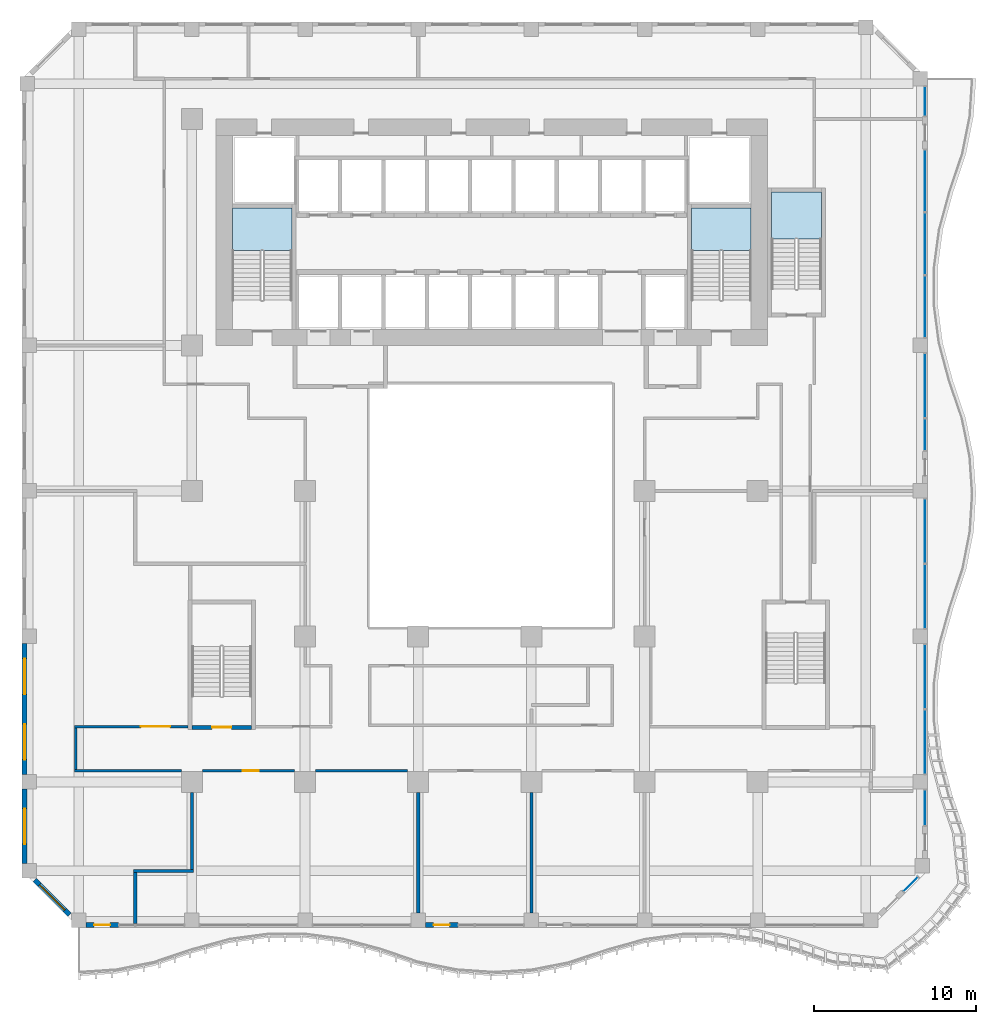
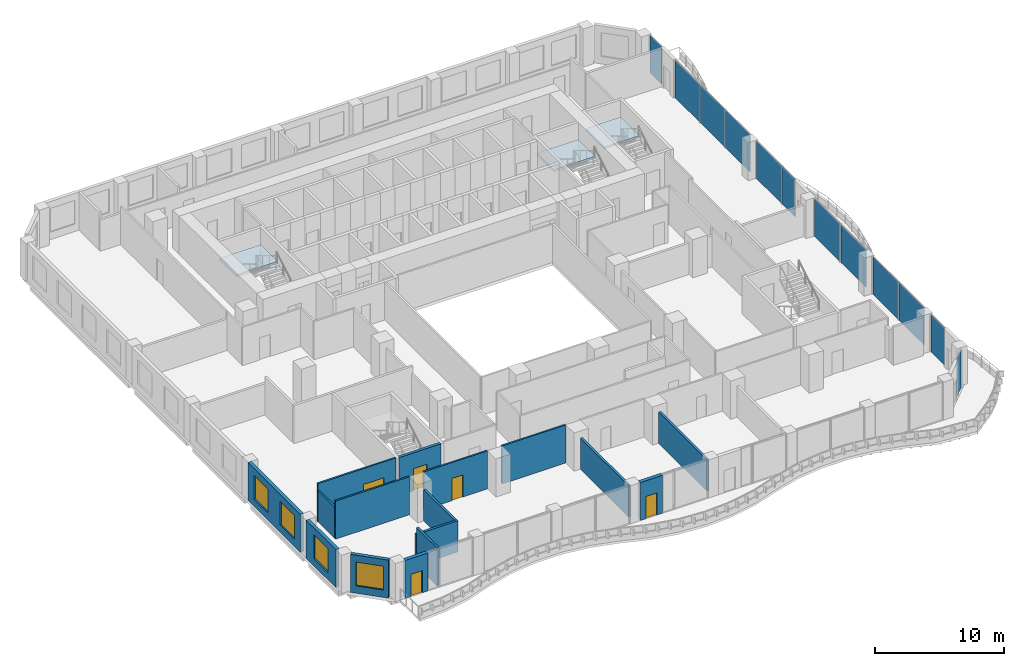
# One storey, part 12 of 23: 16 walls, 12 plates, 5 doors, 4 windows, 3 slabs, 9 openings, 15 elements without a shape of their own.
"""IFC4 building model written with IfcOpenShell, lengths in metres."""

from ifc_helpers import new_model, si_unit, direction, frame, frame_2d, origin, origin_2d, place, context, subcontext, project, spatial, polyline, rectangle, outline, extrude, source, transform, mapped, material, layer, layer_set, type_object, element, fill, aggregate, save


model = new_model("IFC4")

# Units and contexts
model_context = context("Model", 3, precision=1e-05, world=origin(), true_north=direction((0.0, 1.0)))
body_context = subcontext(model_context, "Body", "Model", "MODEL_VIEW")
ifc_project = project(units=[si_unit("LENGTHUNIT", "METRE"), si_unit("AREAUNIT", "SQUARE_METRE"), si_unit("VOLUMEUNIT", "CUBIC_METRE"), si_unit("PLANEANGLEUNIT", "RADIAN"), si_unit("MASSUNIT", "GRAM", prefix="KILO")], contexts=[model_context])

# Site, building, storey
site_placement = place(None, origin())
site = spatial("IfcSite", under=ifc_project, at=site_placement, CompositionType="ELEMENT")
building_placement = place(site_placement, origin())
building = spatial("IfcBuilding", under=site, at=building_placement, Name="Kilnfold Tower and Market Hall", CompositionType="ELEMENT")
storey_placement = place(building_placement, frame((0.0, 0.0, 55.0)))
storey = spatial("IfcBuildingStorey", under=building, at=storey_placement, Name="L12", CompositionType="ELEMENT", Elevation=55.0)

# Curtain wall, plate
ifc_material_1 = material(Name="Aluminium and double glazing", Category="aluminium")
curtain_wall_type = type_object("IfcCurtainWallType", Name="CW OF1 VALLEY GLAZING", PredefinedType="NOTDEFINED", material=ifc_material_1)
curtain_wall_1_placement = place(storey_placement, origin())
curtain_wall_1 = element("IfcCurtainWall", 1, at=curtain_wall_1_placement, inside=storey, type_object=curtain_wall_type, Name="Curtain wall CW1 L12 SE", PredefinedType="NOTDEFINED")
ifc_material_2 = material(Name="Double glazed unit")
ifc_layer_1 = layer(ifc_material_2, 0.031982421875)
ifc_layer_set_1 = layer_set([ifc_layer_1], Name="Double glazed unit")
plate_type = type_object("IfcPlateType", Name="GLAZING PANEL 32", PredefinedType="CURTAIN_PANEL", material=ifc_layer_set_1)
shared_shape_1 = source(origin(), body_context, "Body", "SweptSolid", [
    extrude(rectangle(XDim=1.23876953125, YDim=0.031982421875, at=origin_2d()), origin(), (0.0, 0.0, 1.0), 3.5400390625),
])
plate_1_placement = place(storey_placement, frame((26.963623046875, -25.32421875, 0.0), z_axis=(0.0, 0.0, 1.0), x_axis=(0.707106781187, 0.707106781187, 0.0)))
plate_1 = element("IfcPlate", 2, at=plate_1_placement, type_object=plate_type, Name="CW1 panel 1.1", PredefinedType="CURTAIN_PANEL", context=body_context, shape_type="MappedRepresentation", body=[
    mapped(shared_shape_1, transform((0.0, 0.0, 0.0))),
])
aggregate(curtain_wall_1, [plate_1])

curtain_wall_2_placement = place(storey_placement, origin())
curtain_wall_2 = element("IfcCurtainWall", 3, at=curtain_wall_2_placement, inside=storey, type_object=curtain_wall_type, Name="Curtain wall CW1 L12 E", PredefinedType="NOTDEFINED")
shared_shape_2 = source(origin(), body_context, "Body", "SweptSolid", [
    extrude(rectangle(XDim=2.161865234375, YDim=0.031982421875, at=origin_2d()), origin(), (0.0, 0.0, 1.0), 3.5400390625),
])
plate_2_placement = place(storey_placement, frame((27.85009765625, -20.5908203125, 0.0), z_axis=(0.0, 0.0, 1.0), x_axis=(0.0, 1.0, 0.0)))
plate_2 = element("IfcPlate", 4, at=plate_2_placement, type_object=plate_type, Name="CW1 panel 1.1", PredefinedType="CURTAIN_PANEL", context=body_context, shape_type="MappedRepresentation", body=[
    mapped(shared_shape_2, transform((0.0, 0.0, 0.0))),
])
aggregate(curtain_wall_2, [plate_2])

curtain_wall_3_placement = place(storey_placement, origin())
curtain_wall_3 = element("IfcCurtainWall", 5, at=curtain_wall_3_placement, inside=storey, type_object=curtain_wall_type, Name="Curtain wall CW1 L12 E", PredefinedType="NOTDEFINED")
shared_shape_3 = source(origin(), body_context, "Body", "SweptSolid", [
    extrude(rectangle(XDim=3.929931640625, YDim=0.031982421875, at=origin_2d()), origin(), (0.0, 0.0, 1.0), 3.5400390625),
])
plate_3_placement = place(storey_placement, frame((27.85009765625, -16.52490234375, 0.0), z_axis=(0.0, 0.0, 1.0), x_axis=(0.0, 1.0, 0.0)))
plate_3 = element("IfcPlate", 6, at=plate_3_placement, type_object=plate_type, Name="CW1 panel 1.1", PredefinedType="CURTAIN_PANEL", context=body_context, shape_type="MappedRepresentation", body=[
    mapped(shared_shape_3, transform((0.0, 0.0, 0.0))),
])
aggregate(curtain_wall_3, [plate_3])

curtain_wall_4_placement = place(storey_placement, origin())
curtain_wall_4 = element("IfcCurtainWall", 7, at=curtain_wall_4_placement, inside=storey, type_object=curtain_wall_type, Name="Curtain wall CW1 L12 E", PredefinedType="NOTDEFINED")
plate_4_placement = place(storey_placement, frame((27.85009765625, -12.47509765625, 0.0), z_axis=(0.0, 0.0, 1.0), x_axis=(0.0, 1.0, 0.0)))
plate_4 = element("IfcPlate", 8, at=plate_4_placement, type_object=plate_type, Name="CW1 panel 1.1", PredefinedType="CURTAIN_PANEL", context=body_context, shape_type="MappedRepresentation", body=[
    mapped(shared_shape_3, transform((0.0, 0.0, 0.0))),
])
aggregate(curtain_wall_4, [plate_4])

curtain_wall_5_placement = place(storey_placement, origin())
curtain_wall_5 = element("IfcCurtainWall", 9, at=curtain_wall_5_placement, inside=storey, type_object=curtain_wall_type, Name="Curtain wall CW1 L12 E", PredefinedType="NOTDEFINED")
plate_5_placement = place(storey_placement, frame((27.85009765625, -7.52490234375, 0.0), z_axis=(0.0, 0.0, 1.0), x_axis=(0.0, 1.0, 0.0)))
plate_5 = element("IfcPlate", 10, at=plate_5_placement, type_object=plate_type, Name="CW1 panel 1.1", PredefinedType="CURTAIN_PANEL", context=body_context, shape_type="MappedRepresentation", body=[
    mapped(shared_shape_3, transform((0.0, 0.0, 0.0))),
])
aggregate(curtain_wall_5, [plate_5])

curtain_wall_6_placement = place(storey_placement, origin())
curtain_wall_6 = element("IfcCurtainWall", 11, at=curtain_wall_6_placement, inside=storey, type_object=curtain_wall_type, Name="Curtain wall CW1 L12 E", PredefinedType="NOTDEFINED")
plate_6_placement = place(storey_placement, frame((27.85009765625, -3.47509765625, 0.0), z_axis=(0.0, 0.0, 1.0), x_axis=(0.0, 1.0, 0.0)))
plate_6 = element("IfcPlate", 12, at=plate_6_placement, type_object=plate_type, Name="CW1 panel 1.1", PredefinedType="CURTAIN_PANEL", context=body_context, shape_type="MappedRepresentation", body=[
    mapped(shared_shape_3, transform((0.0, 0.0, 0.0))),
])
aggregate(curtain_wall_6, [plate_6])

curtain_wall_7_placement = place(storey_placement, origin())
curtain_wall_7 = element("IfcCurtainWall", 13, at=curtain_wall_7_placement, inside=storey, type_object=curtain_wall_type, Name="Curtain wall CW1 L12 E", PredefinedType="NOTDEFINED")
plate_7_placement = place(storey_placement, frame((27.85009765625, 5.52490234375, 0.0), z_axis=(0.0, 0.0, 1.0), x_axis=(0.0, 1.0, 0.0)))
plate_7 = element("IfcPlate", 14, at=plate_7_placement, type_object=plate_type, Name="CW1 panel 1.1", PredefinedType="CURTAIN_PANEL", context=body_context, shape_type="MappedRepresentation", body=[
    mapped(shared_shape_3, transform((0.0, 0.0, 0.0))),
])
aggregate(curtain_wall_7, [plate_7])

curtain_wall_8_placement = place(storey_placement, origin())
curtain_wall_8 = element("IfcCurtainWall", 15, at=curtain_wall_8_placement, inside=storey, type_object=curtain_wall_type, Name="Curtain wall CW1 L12 E", PredefinedType="NOTDEFINED")
shared_shape_4 = source(origin(), body_context, "Body", "SweptSolid", [
    extrude(rectangle(XDim=1.929931640625, YDim=0.031982421875, at=origin_2d()), origin(), (0.0, 0.0, 1.0), 3.5400390625),
])
plate_8_placement = place(storey_placement, frame((27.85009765625, 2.47509765625, 0.0), z_axis=(0.0, 0.0, 1.0), x_axis=(0.0, 1.0, 0.0)))
plate_8 = element("IfcPlate", 16, at=plate_8_placement, type_object=plate_type, Name="CW1 panel 1.1", PredefinedType="CURTAIN_PANEL", context=body_context, shape_type="MappedRepresentation", body=[
    mapped(shared_shape_4, transform((0.0, 0.0, 0.0))),
])
aggregate(curtain_wall_8, [plate_8])

curtain_wall_9_placement = place(storey_placement, origin())
curtain_wall_9 = element("IfcCurtainWall", 17, at=curtain_wall_9_placement, inside=storey, type_object=curtain_wall_type, Name="Curtain wall CW1 L12 E", PredefinedType="NOTDEFINED")
shared_shape_5 = source(origin(), body_context, "Body", "SweptSolid", [
    extrude(rectangle(XDim=3.780029296875, YDim=0.031982421875, at=origin_2d()), origin(), (0.0, 0.0, 1.0), 3.5400390625),
])
plate_9_placement = place(storey_placement, frame((27.85009765625, 10.39990234375, 0.0), z_axis=(0.0, 0.0, 1.0), x_axis=(0.0, 1.0, 0.0)))
plate_9 = element("IfcPlate", 18, at=plate_9_placement, type_object=plate_type, Name="CW1 panel 1.1", PredefinedType="CURTAIN_PANEL", context=body_context, shape_type="MappedRepresentation", body=[
    mapped(shared_shape_5, transform((0.0, 0.0, 0.0))),
])
aggregate(curtain_wall_9, [plate_9])

curtain_wall_10_placement = place(storey_placement, origin())
curtain_wall_10 = element("IfcCurtainWall", 19, at=curtain_wall_10_placement, inside=storey, type_object=curtain_wall_type, Name="Curtain wall CW1 L12 E", PredefinedType="NOTDEFINED")
plate_10_placement = place(storey_placement, frame((27.85009765625, 14.300048828125, 0.0), z_axis=(0.0, 0.0, 1.0), x_axis=(0.0, 1.0, 0.0)))
plate_10 = element("IfcPlate", 20, at=plate_10_placement, type_object=plate_type, Name="CW1 panel 1.1", PredefinedType="CURTAIN_PANEL", context=body_context, shape_type="MappedRepresentation", body=[
    mapped(shared_shape_5, transform((0.0, 0.0, 0.0))),
])
aggregate(curtain_wall_10, [plate_10])

curtain_wall_11_placement = place(storey_placement, origin())
curtain_wall_11 = element("IfcCurtainWall", 21, at=curtain_wall_11_placement, inside=storey, type_object=curtain_wall_type, Name="Curtain wall CW1 L12 E", PredefinedType="NOTDEFINED")
plate_11_placement = place(storey_placement, frame((27.85009765625, 18.199951171875, 0.0), z_axis=(0.0, 0.0, 1.0), x_axis=(0.0, 1.0, 0.0)))
plate_11 = element("IfcPlate", 22, at=plate_11_placement, type_object=plate_type, Name="CW1 panel 1.1", PredefinedType="CURTAIN_PANEL", context=body_context, shape_type="MappedRepresentation", body=[
    mapped(shared_shape_5, transform((0.0, 0.0, 0.0))),
])
aggregate(curtain_wall_11, [plate_11])

curtain_wall_12_placement = place(storey_placement, origin())
curtain_wall_12 = element("IfcCurtainWall", 23, at=curtain_wall_12_placement, inside=storey, type_object=curtain_wall_type, Name="Curtain wall CW1 L12 E", PredefinedType="NOTDEFINED")
shared_shape_6 = source(origin(), body_context, "Body", "SweptSolid", [
    extrude(rectangle(XDim=1.780029296875, YDim=0.031982421875, at=origin_2d()), origin(), (0.0, 0.0, 1.0), 3.5400390625),
])
plate_12_placement = place(storey_placement, frame((27.85009765625, 23.10009765625, 0.0), z_axis=(0.0, 0.0, 1.0), x_axis=(0.0, 1.0, 0.0)))
plate_12 = element("IfcPlate", 24, at=plate_12_placement, type_object=plate_type, Name="CW1 panel 1.1", PredefinedType="CURTAIN_PANEL", context=body_context, shape_type="MappedRepresentation", body=[
    mapped(shared_shape_6, transform((0.0, 0.0, 0.0))),
])
aggregate(curtain_wall_12, [plate_12])

# Stair, slab
ifc_material_3 = material(Name="Concrete C40/50", Category="concrete")
stair_type_1 = type_object("IfcStairType", Name="CORE STAIR 1800", PredefinedType="HALF_TURN_STAIR", material=ifc_material_3)
stair_1_placement = place(storey_placement, origin())
stair_1 = element("IfcStair", 25, at=stair_1_placement, inside=storey, type_object=stair_type_1, Name="L12 ST1", PredefinedType="HALF_TURN_STAIR")
ifc_material_4 = material(Name="Concrete C40/50", Category="concrete")
ifc_layer_2 = layer(ifc_material_4, 0.199951171875)
ifc_layer_set_2 = layer_set([ifc_layer_2], Name="Concrete C40/50")
slab_type = type_object("IfcSlabType", Name="CORE STAIR LANDING 200", PredefinedType="LANDING", material=ifc_layer_set_2)
shared_shape_7 = source(origin(), body_context, "Body", "SweptSolid", [
    extrude(outline(polyline([(-11.300048828125, 13.8798828125), (-11.300048828125, 16.5), (-15.0, 16.5), (-15.0, 13.8798828125), (-11.300048828125, 13.8798828125)])), origin(), (0.0, 0.0, 1.0), 0.199951171875),
])
slab_1_placement = place(storey_placement, frame((0.0, 0.0, 1.800048828125)))
slab_1 = element("IfcSlab", 26, at=slab_1_placement, type_object=slab_type, Name="ST1 landing 1", PredefinedType="LANDING", context=body_context, shape_type="MappedRepresentation", body=[
    mapped(shared_shape_7, transform((0.0, 0.0, 0.0))),
])
aggregate(stair_1, [slab_1])

stair_2_placement = place(storey_placement, origin())
stair_2 = element("IfcStair", 27, at=stair_2_placement, inside=storey, type_object=stair_type_1, Name="L12 ST2", PredefinedType="HALF_TURN_STAIR")
shared_shape_8 = source(origin(), body_context, "Body", "SweptSolid", [
    extrude(outline(polyline([(17.10009765625, 13.8798828125), (17.10009765625, 16.5), (13.39990234375, 16.5), (13.39990234375, 13.8798828125), (17.10009765625, 13.8798828125)])), origin(), (0.0, 0.0, 1.0), 0.199951171875),
])
slab_2_placement = place(storey_placement, frame((0.0, 0.0, 1.800048828125)))
slab_2 = element("IfcSlab", 28, at=slab_2_placement, type_object=slab_type, Name="ST2 landing 1", PredefinedType="LANDING", context=body_context, shape_type="MappedRepresentation", body=[
    mapped(shared_shape_8, transform((0.0, 0.0, 0.0))),
])
aggregate(stair_2, [slab_2])

ifc_material_5 = material(Name="Concrete C40/50", Category="concrete")
stair_type_2 = type_object("IfcStairType", Name="CORE STAIR 1500", PredefinedType="HALF_TURN_STAIR", material=ifc_material_5)
stair_3_placement = place(storey_placement, origin())
stair_3 = element("IfcStair", 29, at=stair_3_placement, inside=storey, type_object=stair_type_2, Name="L12 ST5", PredefinedType="HALF_TURN_STAIR")
shared_shape_9 = source(origin(), body_context, "Body", "SweptSolid", [
    extrude(outline(polyline([(21.449951171875, 14.580078125), (21.449951171875, 17.5), (18.35009765625, 17.5), (18.35009765625, 14.580078125), (21.449951171875, 14.580078125)])), origin(), (0.0, 0.0, 1.0), 0.199951171875),
])
slab_3_placement = place(storey_placement, frame((0.0, 0.0, 1.800048828125)))
slab_3 = element("IfcSlab", 30, at=slab_3_placement, type_object=slab_type, Name="ST5 landing 1", PredefinedType="LANDING", context=body_context, shape_type="MappedRepresentation", body=[
    mapped(shared_shape_9, transform((0.0, 0.0, 0.0))),
])
aggregate(stair_3, [slab_3])

# Walls
ifc_material_6 = material(Name="Gypsum board on steel studs", Category="steel")
ifc_layer_3 = layer(ifc_material_6, 0.14990234375)
ifc_layer_set_3 = layer_set([ifc_layer_3], Name="Gypsum board on steel studs")
wall_type_1 = type_object("IfcWallType", Name="WALL CORRIDOR 150", PredefinedType="PARTITIONING", material=ifc_layer_set_3)
wall_1_placement = place(storey_placement, frame((-24.757080078125, -18.300048828125, 0.0), z_axis=(0.0, 0.0, 1.0), x_axis=(1.0, 0.0, 0.0)))
element("IfcWall", 31, at=wall_1_placement, inside=storey, type_object=wall_type_1, Name="Partition LY10.7", PredefinedType="PARTITIONING", context=body_context, shape_type="SweptSolid", body=[
    extrude(rectangle(XDim=6.607177734375, YDim=0.14990234375, at=frame_2d((3.3037109375, 0.0))), origin(), (0.0, 0.0, 1.0), 3.60009765625),
])
wall_2_placement = place(storey_placement, frame((-24.681884765625, -15.64990234375, 0.0), z_axis=(0.0, 0.0, 1.0), x_axis=(0.0, -1.0, 0.0)))
element("IfcWall", 32, at=wall_2_placement, inside=storey, type_object=wall_type_1, Name="Partition LY10.8", PredefinedType="PARTITIONING", context=body_context, shape_type="SweptSolid", body=[
    extrude(rectangle(XDim=2.5751953125, YDim=0.14990234375, at=frame_2d((1.28759765625, 0.0))), origin(), (0.0, 0.0, 1.0), 2.949951171875),
])

# Wall, opening, door
wall_3_placement = place(storey_placement, frame((-24.757080078125, -15.574951171875, 0.0), z_axis=(0.0, 0.0, 1.0), x_axis=(1.0, 0.0, 0.0)))
wall_3 = element("IfcWall", 33, at=wall_3_placement, inside=storey, type_object=wall_type_1, Name="Partition LY10.9", PredefinedType="PARTITIONING", context=body_context, shape_type="SweptSolid", body=[
    extrude(rectangle(XDim=7.007080078125, YDim=0.14990234375, at=frame_2d((3.50341796875, 0.0))), origin(), (0.0, 0.0, 1.0), 3.60009765625),
])
opening_1_placement = place(wall_3_placement, frame((4.10595703125, 0.0, 0.0)))
opening_1 = element("IfcOpeningElement", 34, at=opening_1_placement, cuts=wall_3, Name="Opening D5", PredefinedType="OPENING", context=body_context, shape_type="SweptSolid", body=[
    extrude(rectangle(XDim=1.800048828125, YDim=2.10009765625, at=frame_2d((0.89990234375, 1.050048828125))), frame((0.0, 0.0849609375, 0.0), z_axis=(0.0, -1.0, 0.0), x_axis=(1.0, 0.0, 0.0)), (0.0, 0.0, 1.0), 0.169921875),
])
ifc_material_7 = material(Name="Timber veneer door leaf in steel frame", Category="steel")
door_type_1 = type_object("IfcDoorType", Name="DOOR DOUBLE 1800 X2100", OperationType="NOTDEFINED", PredefinedType="DOOR", material=ifc_material_7)
door_1_placement = place(opening_1_placement, origin())
door_1 = element("IfcDoor", 35, at=door_1_placement, inside=storey, type_object=door_type_1, Name="Door D5", OperationType="DOUBLE_DOOR_SINGLE_SWING", OverallHeight=2.10009765625, OverallWidth=1.800048828125, PredefinedType="DOOR", context=body_context, shape_type="SweptSolid", body=[
    extrude(rectangle(XDim=1.800048828125, YDim=2.10009765625, at=frame_2d((0.89990234375, 1.050048828125))), frame((0.0, 0.02490234375, 0.0), z_axis=(0.0, -1.0, 0.0), x_axis=(1.0, 0.0, 0.0)), (0.0, 0.0, 1.0), 0.050048828125),
])
fill(opening_1, door_1)

wall_4_placement = place(storey_placement, frame((-16.85009765625, -18.300048828125, 0.0), z_axis=(0.0, 0.0, 1.0), x_axis=(1.0, 0.0, 0.0)))
wall_4 = element("IfcWall", 36, at=wall_4_placement, inside=storey, type_object=wall_type_1, Name="Partition LY10.15", PredefinedType="PARTITIONING", context=body_context, shape_type="SweptSolid", body=[
    extrude(rectangle(XDim=5.7001953125, YDim=0.14990234375, at=frame_2d((2.85009765625, 0.0))), origin(), (0.0, 0.0, 1.0), 3.60009765625),
])
opening_2_placement = place(wall_4_placement, frame((2.5, 0.0, 0.0)))
opening_2 = element("IfcOpeningElement", 37, at=opening_2_placement, cuts=wall_4, Name="Opening D1", PredefinedType="OPENING", context=body_context, shape_type="SweptSolid", body=[
    extrude(rectangle(XDim=1.0, YDim=2.10009765625, at=frame_2d((0.5, 1.050048828125))), frame((0.0, 0.0849609375, 0.0), z_axis=(0.0, -1.0, 0.0), x_axis=(1.0, 0.0, 0.0)), (0.0, 0.0, 1.0), 0.169921875),
])
ifc_material_8 = material(Name="Timber veneer door leaf in steel frame", Category="steel")
door_type_2 = type_object("IfcDoorType", Name="DOOR ENTRY 1000 X2100", OperationType="NOTDEFINED", PredefinedType="DOOR", material=ifc_material_8)
door_2_placement = place(opening_2_placement, origin())
door_2 = element("IfcDoor", 38, at=door_2_placement, inside=storey, type_object=door_type_2, Name="Door D1", OperationType="SINGLE_SWING_RIGHT", OverallHeight=2.10009765625, OverallWidth=1.0, PredefinedType="DOOR", context=body_context, shape_type="SweptSolid", body=[
    extrude(rectangle(XDim=1.0, YDim=2.10009765625, at=frame_2d((0.5, 1.050048828125))), frame((0.0, 0.02490234375, 0.0), z_axis=(0.0, -1.0, 0.0), x_axis=(1.0, 0.0, 0.0)), (0.0, 0.0, 1.0), 0.050048828125),
])
fill(opening_2, door_2)

# Walls
wall_5_placement = place(storey_placement, frame((-9.85009765625, -18.300048828125, 0.0), z_axis=(0.0, 0.0, 1.0), x_axis=(1.0, 0.0, 0.0)))
element("IfcWall", 39, at=wall_5_placement, inside=storey, type_object=wall_type_1, Name="Partition LY10.16", PredefinedType="PARTITIONING", context=body_context, shape_type="SweptSolid", body=[
    extrude(rectangle(XDim=5.7001953125, YDim=0.14990234375, at=frame_2d((2.85009765625, 0.0))), origin(), (0.0, 0.0, 1.0), 3.60009765625),
])
ifc_material_9 = material(Name="Gypsum board on steel studs", Category="steel")
ifc_layer_4 = layer(ifc_material_9, 0.199951171875)
ifc_layer_set_4 = layer_set([ifc_layer_4], Name="Gypsum board on steel studs")
wall_type_2 = type_object("IfcWallType", Name="WALL PARTY 200", PredefinedType="PARTITIONING", material=ifc_layer_set_4)
wall_6_placement = place(storey_placement, frame((-17.5, -24.39990234375, 0.0), z_axis=(0.0, 0.0, 1.0), x_axis=(0.0, 1.0, 0.0)))
element("IfcWall", 40, at=wall_6_placement, inside=storey, type_object=wall_type_2, Name="Partition LY10.47", PredefinedType="PARTITIONING", context=body_context, shape_type="SweptSolid", body=[
    extrude(rectangle(XDim=4.75, YDim=0.199951171875, at=frame_2d((2.375, 0.0))), origin(), (0.0, 0.0, 1.0), 2.949951171875),
])
wall_7_placement = place(storey_placement, frame((-21.10009765625, -24.5, 0.0), z_axis=(0.0, 0.0, 1.0), x_axis=(1.0, 0.0, 0.0)))
element("IfcWall", 41, at=wall_7_placement, inside=storey, type_object=wall_type_2, Name="Partition LY10.48", PredefinedType="PARTITIONING", context=body_context, shape_type="SweptSolid", body=[
    extrude(rectangle(XDim=3.7001953125, YDim=0.199951171875, at=frame_2d((1.85009765625, 0.0))), origin(), (0.0, 0.0, 1.0), 2.949951171875),
])
wall_8_placement = place(storey_placement, frame((-21.0, -27.75, 0.0), z_axis=(0.0, 0.0, 1.0), x_axis=(0.0, 1.0, 0.0)))
element("IfcWall", 42, at=wall_8_placement, inside=storey, type_object=wall_type_2, Name="Partition LY10.49", PredefinedType="PARTITIONING", context=body_context, shape_type="SweptSolid", body=[
    extrude(rectangle(XDim=3.14990234375, YDim=0.199951171875, at=frame_2d((1.574951171875, 0.0))), origin(), (0.0, 0.0, 1.0), 3.60009765625),
])
for number, where, z_axis, x_axis, name in (
    (43, (-3.5, -27.10009765625, 0.0), (0.0, 0.0, 1.0), (0.0, 1.0, 0.0), "Partition LY10.50"),
    (44, (3.5, -27.10009765625, 0.0), (0.0, 0.0, 1.0), (0.0, 1.0, 0.0), "Partition LY10.54"),
):
    element("IfcWall", number, at=place(storey_placement, frame(where, z_axis=z_axis, x_axis=x_axis)), inside=storey, type_object=wall_type_2, Name=name, PredefinedType="PARTITIONING", context=body_context, shape_type="SweptSolid", body=[
        extrude(rectangle(XDim=7.4501953125, YDim=0.199951171875, at=frame_2d((3.72509765625, 0.0))), origin(), (0.0, 0.0, 1.0), 2.949951171875),
    ])

# Wall, opening, door
ifc_material_10 = material(Name="Concrete C80", Category="concrete")
ifc_layer_5 = layer(ifc_material_10, 0.25)
ifc_layer_set_5 = layer_set([ifc_layer_5], Name="Concrete C80")
wall_type_3 = type_object("IfcWallType", Name="CORE WALL 250 C80", PredefinedType="SHEAR", material=ifc_layer_set_5)
shared_shape_10 = source(origin(), body_context, "Body", "SweptSolid", [
    extrude(rectangle(XDim=3.699951171875, YDim=0.25, at=frame_2d((1.85009765625, 0.0))), origin(), (0.0, 0.0, 1.0), 3.60009765625),
])
wall_9_placement = place(storey_placement, frame((-17.5, -15.625, 0.0), z_axis=(0.0, 0.0, 1.0), x_axis=(1.0, 0.0, 0.0)))
wall_9 = element("IfcWall", 45, at=wall_9_placement, inside=storey, type_object=wall_type_3, Name="Stair enclosure ST3", PredefinedType="SHEAR", context=body_context, shape_type="MappedRepresentation", body=[
    mapped(shared_shape_10, transform((0.0, 0.0, 0.0))),
])
opening_3_placement = place(wall_9_placement, frame((1.25, 0.0, 0.0)))
opening_3 = element("IfcOpeningElement", 46, at=opening_3_placement, cuts=wall_9, Name="Opening SD1", PredefinedType="OPENING", context=body_context, shape_type="SweptSolid", body=[
    extrude(rectangle(XDim=1.199951171875, YDim=2.10009765625, at=frame_2d((0.60009765625, 1.050048828125))), frame((0.0, 0.135009765625, 0.0), z_axis=(0.0, -1.0, 0.0), x_axis=(1.0, 0.0, 0.0)), (0.0, 0.0, 1.0), 0.27001953125),
])
ifc_material_11 = material(Name="Steel door set with fire-resisting leaf", Category="steel")
door_type_3 = type_object("IfcDoorType", Name="STAIR FLOOR DOOR 1200X2100", OperationType="NOTDEFINED", PredefinedType="DOOR", material=ifc_material_11)
door_3_placement = place(opening_3_placement, origin())
door_3 = element("IfcDoor", 47, at=door_3_placement, inside=storey, type_object=door_type_3, Name="Exit stair ST3 door", OperationType="DOUBLE_DOOR_SINGLE_SWING", OverallHeight=2.10009765625, OverallWidth=1.199951171875, PredefinedType="DOOR", context=body_context, shape_type="SweptSolid", body=[
    extrude(rectangle(XDim=1.199951171875, YDim=2.10009765625, at=frame_2d((0.60009765625, 1.050048828125))), frame((0.0, 0.02490234375, 0.0), z_axis=(0.0, -1.0, 0.0), x_axis=(1.0, 0.0, 0.0)), (0.0, 0.0, 1.0), 0.050048828125),
])
fill(opening_3, door_3)

ifc_material_12 = material(Name="Precast concrete C50/60", Category="concrete")
ifc_layer_6 = layer(ifc_material_12, 0.300048828125)
ifc_layer_set_6 = layer_set([ifc_layer_6], Name="Precast concrete C50/60")
wall_type_4 = type_object("IfcWallType", Name="PRECAST WALL 300", PredefinedType="SOLIDWALL", material=ifc_layer_set_6)
shared_shape_11 = source(origin(), body_context, "Body", "SweptSolid", [
    extrude(rectangle(XDim=2.0, YDim=0.300048828125, at=frame_2d((1.0, 0.0))), origin(), (0.0, 0.0, 1.0), 3.60009765625),
])
wall_10_placement = place(storey_placement, frame((-24.050048828125, -27.85009765625, 0.0), z_axis=(0.0, 0.0, 1.0), x_axis=(1.0, 0.0, 0.0)))
wall_10 = element("IfcWall", 48, at=wall_10_placement, inside=storey, type_object=wall_type_4, Name="External wall L12 S", PredefinedType="SOLIDWALL", context=body_context, shape_type="MappedRepresentation", body=[
    mapped(shared_shape_11, transform((0.0, 0.0, 0.0))),
])
opening_4_placement = place(wall_10_placement, frame((0.5, 0.0, 0.0)))
opening_4 = element("IfcOpeningElement", 49, at=opening_4_placement, cuts=wall_10, Name="Opening BD1", PredefinedType="OPENING", context=body_context, shape_type="SweptSolid", body=[
    extrude(rectangle(XDim=1.0, YDim=2.10009765625, at=frame_2d((0.5, 1.050048828125))), frame((0.0, 0.16015625, 0.0), z_axis=(0.0, -1.0, 0.0), x_axis=(1.0, 0.0, 0.0)), (0.0, 0.0, 1.0), 0.320068359375),
])
ifc_material_13 = material(Name="Aluminium frame and double glazing", Category="aluminium")
door_type_4 = type_object("IfcDoorType", Name="BALCONY DOOR 1000X2100", OperationType="NOTDEFINED", PredefinedType="DOOR", material=ifc_material_13)
door_4_placement = place(opening_4_placement, origin())
door_4 = element("IfcDoor", 50, at=door_4_placement, inside=storey, type_object=door_type_4, Name="Balcony door BD1 L12 S-1", OperationType="SINGLE_SWING_LEFT", OverallHeight=2.10009765625, OverallWidth=1.0, PredefinedType="DOOR", context=body_context, shape_type="SweptSolid", body=[
    extrude(rectangle(XDim=1.0, YDim=2.10009765625, at=frame_2d((0.5, 1.050048828125))), frame((0.0, 0.02490234375, 0.0), z_axis=(0.0, -1.0, 0.0), x_axis=(1.0, 0.0, 0.0)), (0.0, 0.0, 1.0), 0.050048828125),
])
fill(opening_4, door_4)

wall_11_placement = place(storey_placement, frame((-3.050048828125, -27.85009765625, 0.0), z_axis=(0.0, 0.0, 1.0), x_axis=(1.0, 0.0, 0.0)))
wall_11 = element("IfcWall", 51, at=wall_11_placement, inside=storey, type_object=wall_type_4, Name="External wall L12 S", PredefinedType="SOLIDWALL", context=body_context, shape_type="MappedRepresentation", body=[
    mapped(shared_shape_11, transform((0.0, 0.0, 0.0))),
])
opening_5_placement = place(wall_11_placement, frame((0.5, 0.0, 0.0)))
opening_5 = element("IfcOpeningElement", 52, at=opening_5_placement, cuts=wall_11, Name="Opening BD1", PredefinedType="OPENING", context=body_context, shape_type="SweptSolid", body=[
    extrude(rectangle(XDim=1.0, YDim=2.10009765625, at=frame_2d((0.5, 1.050048828125))), frame((0.0, 0.16015625, 0.0), z_axis=(0.0, -1.0, 0.0), x_axis=(1.0, 0.0, 0.0)), (0.0, 0.0, 1.0), 0.320068359375),
])
door_5_placement = place(opening_5_placement, origin())
door_5 = element("IfcDoor", 53, at=door_5_placement, inside=storey, type_object=door_type_4, Name="Balcony door BD1 L12 S-1", OperationType="SINGLE_SWING_LEFT", OverallHeight=2.10009765625, OverallWidth=1.0, PredefinedType="DOOR", context=body_context, shape_type="SweptSolid", body=[
    extrude(rectangle(XDim=1.0, YDim=2.10009765625, at=frame_2d((0.5, 1.050048828125))), frame((0.0, 0.02490234375, 0.0), z_axis=(0.0, -1.0, 0.0), x_axis=(1.0, 0.0, 0.0)), (0.0, 0.0, 1.0), 0.050048828125),
])
fill(opening_5, door_5)

# Wall, openings, windows
shared_shape_12 = source(origin(), body_context, "Body", "SweptSolid", [
    extrude(rectangle(XDim=8.10009765625, YDim=0.300048828125, at=frame_2d((4.050048828125, 0.0))), origin(), (0.0, 0.0, 1.0), 3.60009765625),
])
wall_12_placement = place(storey_placement, frame((-27.85009765625, -10.449951171875, 0.0), z_axis=(0.0, 0.0, 1.0), x_axis=(0.0, -1.0, 0.0)))
wall_12 = element("IfcWall", 54, at=wall_12_placement, inside=storey, type_object=wall_type_4, Name="External wall L12 W", PredefinedType="SOLIDWALL", context=body_context, shape_type="MappedRepresentation", body=[
    mapped(shared_shape_12, transform((0.0, 0.0, 0.0))),
])
opening_6_placement = place(wall_12_placement, frame((0.925048828125, 0.0, 0.699951171875)))
opening_6 = element("IfcOpeningElement", 55, at=opening_6_placement, cuts=wall_12, Name="Opening W1", PredefinedType="OPENING", context=body_context, shape_type="SweptSolid", body=[
    extrude(rectangle(XDim=2.199951171875, YDim=2.25, at=frame_2d((1.10009765625, 1.125))), frame((0.0, 0.16015625, 0.0), z_axis=(0.0, -1.0, 0.0), x_axis=(1.0, 0.0, 0.0)), (0.0, 0.0, 1.0), 0.320068359375),
])
opening_7_placement = place(wall_12_placement, frame((4.97509765625, 0.0, 0.699951171875)))
opening_7 = element("IfcOpeningElement", 56, at=opening_7_placement, cuts=wall_12, Name="Opening W1", PredefinedType="OPENING", context=body_context, shape_type="SweptSolid", body=[
    extrude(rectangle(XDim=2.199951171875, YDim=2.25, at=frame_2d((1.10009765625, 1.125))), frame((0.0, 0.16015625, 0.0), z_axis=(0.0, -1.0, 0.0), x_axis=(1.0, 0.0, 0.0)), (0.0, 0.0, 1.0), 0.320068359375),
])
ifc_material_14 = material(Name="Aluminium frame and double glazing", Category="aluminium")
window_type = type_object("IfcWindowType", Name="WINDOW W1 2200X2250", PartitioningType="SINGLE_PANEL", PredefinedType="WINDOW", material=ifc_material_14)
window_1_placement = place(opening_6_placement, origin())
window_1 = element("IfcWindow", 57, at=window_1_placement, inside=storey, type_object=window_type, Name="Window W1 L12 W-1", OverallHeight=2.25, OverallWidth=2.199951171875, PartitioningType="SINGLE_PANEL", PredefinedType="WINDOW", context=body_context, shape_type="SweptSolid", body=[
    extrude(rectangle(XDim=2.199951171875, YDim=2.25, at=frame_2d((1.10009765625, 1.125))), frame((0.0, 0.030029296875, 0.0), z_axis=(0.0, -1.0, 0.0), x_axis=(1.0, 0.0, 0.0)), (0.0, 0.0, 1.0), 0.06005859375),
])
fill(opening_6, window_1)
window_2_placement = place(opening_7_placement, origin())
window_2 = element("IfcWindow", 58, at=window_2_placement, inside=storey, type_object=window_type, Name="Window W1 L12 W-2", OverallHeight=2.25, OverallWidth=2.199951171875, PartitioningType="SINGLE_PANEL", PredefinedType="WINDOW", context=body_context, shape_type="SweptSolid", body=[
    extrude(rectangle(XDim=2.199951171875, YDim=2.25, at=frame_2d((1.10009765625, 1.125))), frame((0.0, 0.030029296875, 0.0), z_axis=(0.0, -1.0, 0.0), x_axis=(1.0, 0.0, 0.0)), (0.0, 0.0, 1.0), 0.06005859375),
])
fill(opening_7, window_2)

# Wall, opening, window
shared_shape_13 = source(origin(), body_context, "Body", "SweptSolid", [
    extrude(rectangle(XDim=4.60009765625, YDim=0.300048828125, at=frame_2d((2.300048828125, 0.0))), origin(), (0.0, 0.0, 1.0), 3.60009765625),
])
wall_13_placement = place(storey_placement, frame((-27.85009765625, -19.449951171875, 0.0), z_axis=(0.0, 0.0, 1.0), x_axis=(0.0, -1.0, 0.0)))
wall_13 = element("IfcWall", 59, at=wall_13_placement, inside=storey, type_object=wall_type_4, Name="External wall L12 W", PredefinedType="SOLIDWALL", context=body_context, shape_type="MappedRepresentation", body=[
    mapped(shared_shape_13, transform((0.0, 0.0, 0.0))),
])
opening_8_placement = place(wall_13_placement, frame((1.199951171875, 0.0, 0.699951171875)))
opening_8 = element("IfcOpeningElement", 60, at=opening_8_placement, cuts=wall_13, Name="Opening W1", PredefinedType="OPENING", context=body_context, shape_type="SweptSolid", body=[
    extrude(rectangle(XDim=2.199951171875, YDim=2.25, at=frame_2d((1.10009765625, 1.125))), frame((0.0, 0.16015625, 0.0), z_axis=(0.0, -1.0, 0.0), x_axis=(1.0, 0.0, 0.0)), (0.0, 0.0, 1.0), 0.320068359375),
])
window_3_placement = place(opening_8_placement, origin())
window_3 = element("IfcWindow", 61, at=window_3_placement, inside=storey, type_object=window_type, Name="Window W1 L12 W-1", OverallHeight=2.25, OverallWidth=2.199951171875, PartitioningType="SINGLE_PANEL", PredefinedType="WINDOW", context=body_context, shape_type="SweptSolid", body=[
    extrude(rectangle(XDim=2.199951171875, YDim=2.25, at=frame_2d((1.10009765625, 1.125))), frame((0.0, 0.030029296875, 0.0), z_axis=(0.0, -1.0, 0.0), x_axis=(1.0, 0.0, 0.0)), (0.0, 0.0, 1.0), 0.06005859375),
])
fill(opening_8, window_3)

shared_shape_14 = source(origin(), body_context, "Body", "SweptSolid", [
    extrude(rectangle(XDim=3.040771484375, YDim=0.300048828125, at=frame_2d((1.5205078125, 0.0))), origin(), (0.0, 0.0, 1.0), 3.60009765625),
])
wall_14_placement = place(storey_placement, frame((-27.218994140625, -25.06884765625, 0.0), z_axis=(0.0, 0.0, 1.0), x_axis=(0.707106781187, -0.707106781187, 0.0)))
wall_14 = element("IfcWall", 62, at=wall_14_placement, inside=storey, type_object=wall_type_4, Name="External wall L12 SW", PredefinedType="SOLIDWALL", context=body_context, shape_type="MappedRepresentation", body=[
    mapped(shared_shape_14, transform((0.0, 0.0, 0.0))),
])
opening_9_placement = place(wall_14_placement, frame((0.42041015625, 0.0, 0.699951171875)))
opening_9 = element("IfcOpeningElement", 63, at=opening_9_placement, cuts=wall_14, Name="Opening W1", PredefinedType="OPENING", context=body_context, shape_type="SweptSolid", body=[
    extrude(rectangle(XDim=2.199951171875, YDim=2.25, at=frame_2d((1.10009765625, 1.125))), frame((0.0, 0.16015625, 0.0), z_axis=(0.0, -1.0, 0.0), x_axis=(1.0, 0.0, 0.0)), (0.0, 0.0, 1.0), 0.320068359375),
])
window_4_placement = place(opening_9_placement, origin())
window_4 = element("IfcWindow", 64, at=window_4_placement, inside=storey, type_object=window_type, Name="Window W1 L12 SW-1", OverallHeight=2.25, OverallWidth=2.199951171875, PartitioningType="SINGLE_PANEL", PredefinedType="WINDOW", context=body_context, shape_type="SweptSolid", body=[
    extrude(rectangle(XDim=2.199951171875, YDim=2.25, at=frame_2d((1.10009765625, 1.125))), frame((0.0, 0.030029296875, 0.0), z_axis=(0.0, -1.0, 0.0), x_axis=(1.0, 0.0, 0.0)), (0.0, 0.0, 1.0), 0.06005859375),
])
fill(opening_9, window_4)

save(model, "model.ifc")
